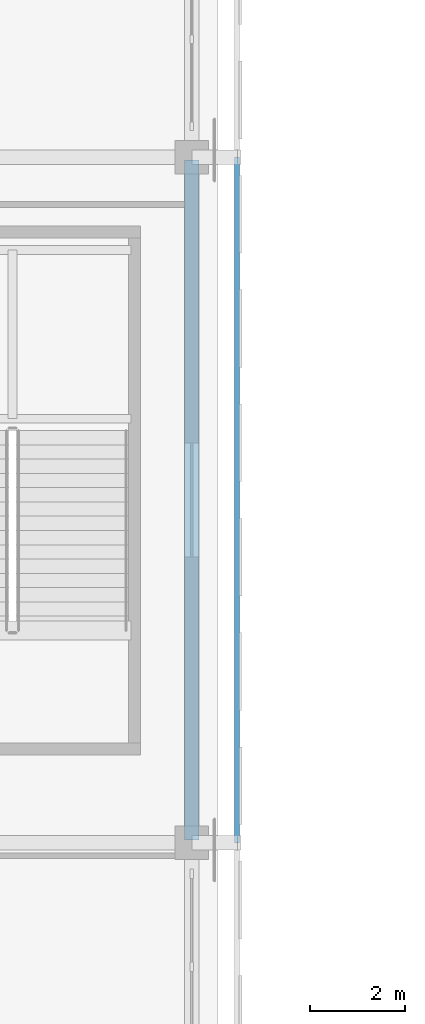
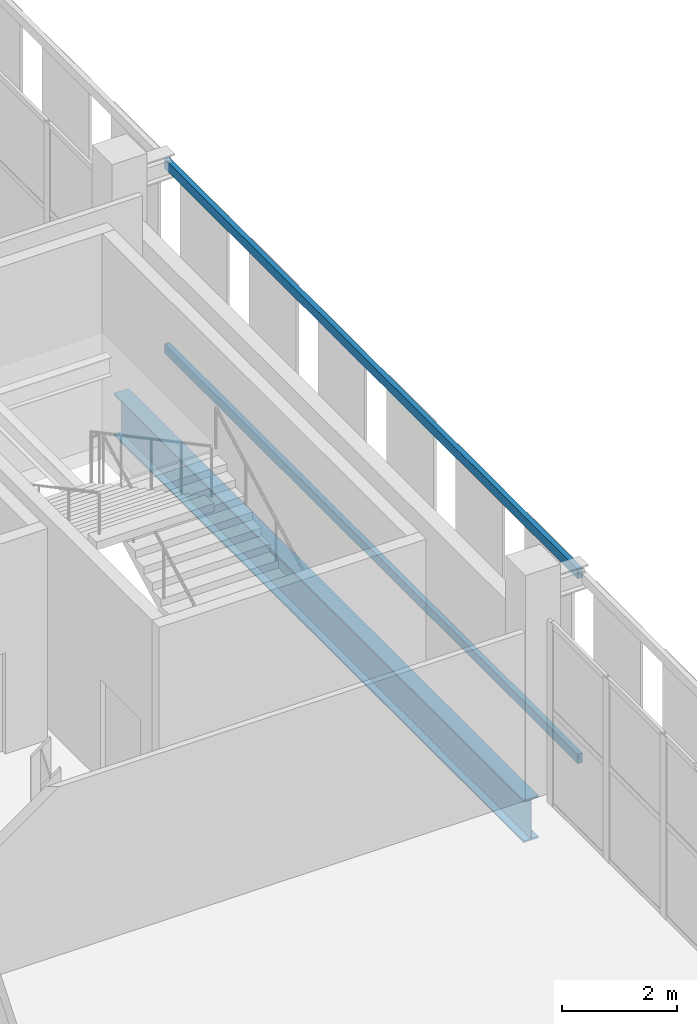
# One storey, part 40 of 104: 2 members, 1 beam.
"""IFC4 building model written with IfcOpenShell, lengths in metres."""

from ifc_helpers import new_model, si_unit, direction, frame, origin, origin_2d, place, context, subcontext, project, spatial, hollow_rectangle, i_section, extrude, material, material_profile, profile_set, type_object, element, save


model = new_model("IFC4")

# Units and contexts
model_context = context("Model", 3, precision=1e-05, world=origin(), true_north=direction((0.0, 1.0)))
body_context = subcontext(model_context, "Body", "Model", "MODEL_VIEW")
ifc_project = project(units=[si_unit("LENGTHUNIT", "METRE"), si_unit("AREAUNIT", "SQUARE_METRE"), si_unit("VOLUMEUNIT", "CUBIC_METRE"), si_unit("PLANEANGLEUNIT", "RADIAN"), si_unit("MASSUNIT", "GRAM", prefix="KILO")], contexts=[model_context])

# Site, building, storey
site_placement = place(None, origin())
site = spatial("IfcSite", under=ifc_project, at=site_placement, CompositionType="ELEMENT")
building_placement = place(site_placement, origin())
building = spatial("IfcBuilding", under=site, at=building_placement, Name="Koshinbarg Plaza Stadium", CompositionType="ELEMENT")
storey_placement = place(building_placement, frame((0.0, 0.0, 19.800048828125)))
storey = spatial("IfcBuildingStorey", under=building, at=storey_placement, Name="L04", CompositionType="ELEMENT", Elevation=19.800048828125)

# Beam
ifc_material = material(Name="Steel S355", Category="steel")
ifc_material_profile_1 = material_profile(ifc_material, i_section(OverallWidth=0.300048828125, OverallDepth=0.89990234375, WebThickness=0.0185546875, FlangeThickness=0.034912109375, at=origin_2d()), Name="HEB 900")
ifc_profile_set_1 = profile_set([ifc_material_profile_1], Name="Steel S355")
beam_type = type_object("IfcBeamType", Name="BM-SGIR-05", PredefinedType="USERDEFINED", material=ifc_profile_set_1)
beam_placement = place(storey_placement, frame((218.39990234375, 54.360107421875, -0.75), z_axis=(0.0, 1.0, 0.0), x_axis=(-1.0, 0.0, 0.0)))
element("IfcBeam", 1, at=beam_placement, inside=storey, type_object=beam_type, Name="L04 Y girder 21/H-J", ObjectType="GIRDER", PredefinedType="USERDEFINED", context=body_context, shape_type="SweptSolid", body=[
    extrude(i_section(OverallWidth=0.300048828125, OverallDepth=0.89990234375, WebThickness=0.0185546875, FlangeThickness=0.034912109375, at=origin_2d()), origin(), (0.0, 0.0, 1.0), 14.27978515625),
])

# Members
ifc_material_profile_2 = material_profile(ifc_material, hollow_rectangle(XDim=0.10009765625, YDim=0.199951171875, WallThickness=0.008056640625, at=origin_2d()), Name="RHS 200x100x8")
ifc_profile_set_2 = profile_set([ifc_material_profile_2], Name="Steel S355")
member_type = type_object("IfcMemberType", Name="MB-PURL-03", PredefinedType="PURLIN", material=ifc_profile_set_2)
for number, where, z_axis, x_axis, name in (
    (2, (219.35009765625, 54.300048828125, 0.25), (0.0, 1.0, 0.0), (-1.0, 0.0, 0.0), "L04 outer screen subframe rail E-3-BOT"),
    (3, (219.35009765625, 54.300048828125, 4.179931640625), (0.0, 1.0, 0.0), (-1.0, 0.0, 0.0), "L04 outer screen subframe rail E-3-TOP"),
):
    element("IfcMember", number, at=place(storey_placement, frame(where, z_axis=z_axis, x_axis=x_axis)), inside=storey, type_object=member_type, Name=name, PredefinedType="PURLIN", context=body_context, shape_type="SweptSolid", body=[
        extrude(hollow_rectangle(XDim=0.10009765625, YDim=0.199951171875, WallThickness=0.008056640625, at=origin_2d()), origin(), (0.0, 0.0, 1.0), 14.39990234375),
    ])

save(model, "model.ifc")
